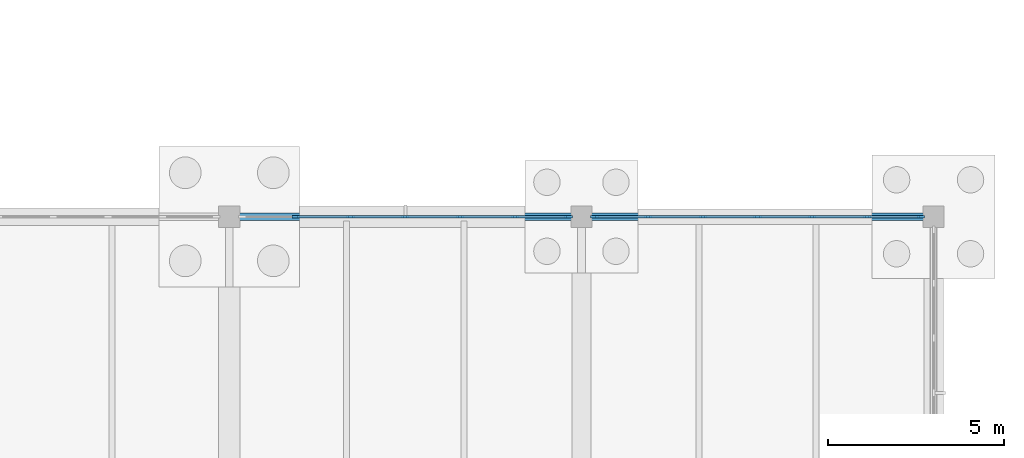
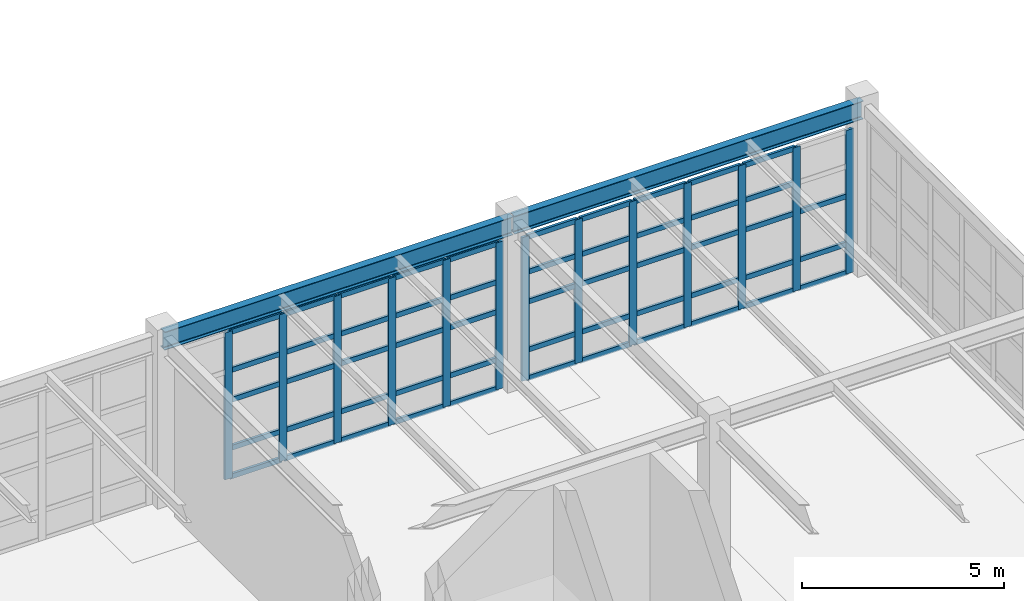
# One storey, part 77 of 145: 66 members, 2 beams, 2 elements without a shape of their own.
"""IFC4 building model written with IfcOpenShell, lengths in metres."""

from ifc_helpers import new_model, si_unit, direction, frame, origin, origin_2d, place, context, subcontext, project, spatial, rectangle, i_section, extrude, material, layer, layer_set, material_profile, profile_set, type_object, element, aggregate, save


model = new_model("IFC4")

# Units and contexts
model_context = context("Model", 3, precision=1e-05, world=origin(), true_north=direction((0.0, 1.0)))
body_context = subcontext(model_context, "Body", "Model", "MODEL_VIEW")
ifc_project = project(units=[si_unit("LENGTHUNIT", "METRE"), si_unit("AREAUNIT", "SQUARE_METRE"), si_unit("VOLUMEUNIT", "CUBIC_METRE"), si_unit("PLANEANGLEUNIT", "RADIAN"), si_unit("MASSUNIT", "GRAM", prefix="KILO"), si_unit("THERMODYNAMICTEMPERATUREUNIT", "KELVIN"), si_unit("POWERUNIT", "WATT")], contexts=[model_context])

# Site, building, storey
site_placement = place(None, origin())
site = spatial("IfcSite", under=ifc_project, at=site_placement, CompositionType="ELEMENT")
building_placement = place(site_placement, origin())
building = spatial("IfcBuilding", under=site, at=building_placement, Name="Korenveer Ferry Terminal", CompositionType="ELEMENT")
storey_placement = place(building_placement, origin())
storey = spatial("IfcBuildingStorey", under=building, at=storey_placement, Name="L00", CompositionType="ELEMENT", Elevation=0.0)

# Curtain wall, members
ifc_material_1 = material(Name="Unitised bronze-and-glass curtain wall", Category="glass")
ifc_layer_1 = layer(ifc_material_1, 0.219970703125)
ifc_layer_set_1 = layer_set([ifc_layer_1], Name="Unitised bronze-and-glass curtain wall")
curtain_wall_type_1 = type_object("IfcCurtainWallType", Name="ENV-CW-08", PredefinedType="USERDEFINED", material=ifc_layer_set_1)
curtain_wall_1_placement = place(storey_placement, frame((156.330078125, 80.0, 0.0)))
curtain_wall_1 = element("IfcCurtainWall", 1, at=curtain_wall_1_placement, inside=storey, type_object=curtain_wall_type_1, Name="Lancet curtain wall CWX-L00-X156-166-Y80-80", ObjectType="UNITISED CURTAIN WALL", PredefinedType="USERDEFINED")
ifc_material_2 = material(Name="Anodised bronze aluminium", Category="aluminium")
ifc_material_profile_1 = material_profile(ifc_material_2, rectangle(XDim=0.074951171875, YDim=0.219970703125, at=origin_2d()), Name="ALU 75x220")
ifc_profile_set_1 = profile_set([ifc_material_profile_1], Name="Anodised bronze aluminium")
member_type_1 = type_object("IfcMemberType", Name="ENV-CWM-75X220", PredefinedType="MULLION", material=ifc_profile_set_1)
member_1_placement = place(storey_placement, frame((157.88671875, 80.0, 0.0), z_axis=(0.0, 0.0, 1.0), x_axis=(0.0, 1.0, 0.0)))
member_1 = element("IfcMember", 2, at=member_1_placement, type_object=member_type_1, Name="CW-08 mullion 2", PredefinedType="MULLION", context=body_context, shape_type="SweptSolid", body=[
    extrude(rectangle(XDim=0.074951171875, YDim=0.219970703125, at=origin_2d()), origin(), (0.0, 0.0, 1.0), 4.43994140625),
])
member_2_placement = place(storey_placement, frame((159.443359375, 80.0, 0.0), z_axis=(0.0, 0.0, 1.0), x_axis=(0.0, 1.0, 0.0)))
member_2 = element("IfcMember", 3, at=member_2_placement, type_object=member_type_1, Name="CW-08 mullion 3", PredefinedType="MULLION", context=body_context, shape_type="SweptSolid", body=[
    extrude(rectangle(XDim=0.074951171875, YDim=0.219970703125, at=origin_2d()), origin(), (0.0, 0.0, 1.0), 4.43994140625),
])
member_3_placement = place(storey_placement, frame((161.0, 80.0, 0.0), z_axis=(0.0, 0.0, 1.0), x_axis=(0.0, 1.0, 0.0)))
member_3 = element("IfcMember", 4, at=member_3_placement, type_object=member_type_1, Name="CW-08 mullion 4", PredefinedType="MULLION", context=body_context, shape_type="SweptSolid", body=[
    extrude(rectangle(XDim=0.074951171875, YDim=0.219970703125, at=origin_2d()), origin(), (0.0, 0.0, 1.0), 4.43994140625),
])
member_4_placement = place(storey_placement, frame((162.556640625, 80.0, 0.0), z_axis=(0.0, 0.0, 1.0), x_axis=(0.0, 1.0, 0.0)))
member_4 = element("IfcMember", 5, at=member_4_placement, type_object=member_type_1, Name="CW-08 mullion 5", PredefinedType="MULLION", context=body_context, shape_type="SweptSolid", body=[
    extrude(rectangle(XDim=0.074951171875, YDim=0.219970703125, at=origin_2d()), origin(), (0.0, 0.0, 1.0), 4.43994140625),
])
member_5_placement = place(storey_placement, frame((164.11328125, 80.0, 0.0), z_axis=(0.0, 0.0, 1.0), x_axis=(0.0, 1.0, 0.0)))
member_5 = element("IfcMember", 6, at=member_5_placement, type_object=member_type_1, Name="CW-08 mullion 6", PredefinedType="MULLION", context=body_context, shape_type="SweptSolid", body=[
    extrude(rectangle(XDim=0.074951171875, YDim=0.219970703125, at=origin_2d()), origin(), (0.0, 0.0, 1.0), 4.43994140625),
])
member_6_placement = place(storey_placement, frame((165.632568359375, 80.0, 0.0), z_axis=(0.0, 0.0, 1.0), x_axis=(0.0, 1.0, 0.0)))
member_6 = element("IfcMember", 7, at=member_6_placement, type_object=member_type_1, Name="CW-08 mullion 7", PredefinedType="MULLION", context=body_context, shape_type="SweptSolid", body=[
    extrude(rectangle(XDim=0.074951171875, YDim=0.219970703125, at=origin_2d()), origin(), (0.0, 0.0, 1.0), 4.43994140625),
])

ifc_layer_2 = layer(ifc_material_1, 0.219970703125)
ifc_layer_set_2 = layer_set([ifc_layer_2], Name="Unitised bronze-and-glass curtain wall")
curtain_wall_type_2 = type_object("IfcCurtainWallType", Name="ENV-CW-09", PredefinedType="USERDEFINED", material=ifc_layer_set_2)
curtain_wall_2_placement = place(storey_placement, frame((166.330078125, 80.0, 0.0)))
curtain_wall_2 = element("IfcCurtainWall", 8, at=curtain_wall_2_placement, inside=storey, type_object=curtain_wall_type_2, Name="Lancet curtain wall CWX-L00-X166-176-Y80-80", ObjectType="UNITISED CURTAIN WALL", PredefinedType="USERDEFINED")
member_7_placement = place(storey_placement, frame((166.367431640625, 80.0, 0.0), z_axis=(0.0, 0.0, 1.0), x_axis=(0.0, 1.0, 0.0)))
member_7 = element("IfcMember", 9, at=member_7_placement, type_object=member_type_1, Name="CW-09 mullion 1", PredefinedType="MULLION", context=body_context, shape_type="SweptSolid", body=[
    extrude(rectangle(XDim=0.074951171875, YDim=0.219970703125, at=origin_2d()), origin(), (0.0, 0.0, 1.0), 4.340087890625),
])
member_8_placement = place(storey_placement, frame((167.88671875, 80.0, 0.0), z_axis=(0.0, 0.0, 1.0), x_axis=(0.0, 1.0, 0.0)))
member_8 = element("IfcMember", 10, at=member_8_placement, type_object=member_type_1, Name="CW-09 mullion 2", PredefinedType="MULLION", context=body_context, shape_type="SweptSolid", body=[
    extrude(rectangle(XDim=0.074951171875, YDim=0.219970703125, at=origin_2d()), origin(), (0.0, 0.0, 1.0), 4.340087890625),
])
member_9_placement = place(storey_placement, frame((169.443359375, 80.0, 0.0), z_axis=(0.0, 0.0, 1.0), x_axis=(0.0, 1.0, 0.0)))
member_9 = element("IfcMember", 11, at=member_9_placement, type_object=member_type_1, Name="CW-09 mullion 3", PredefinedType="MULLION", context=body_context, shape_type="SweptSolid", body=[
    extrude(rectangle(XDim=0.074951171875, YDim=0.219970703125, at=origin_2d()), origin(), (0.0, 0.0, 1.0), 4.340087890625),
])
member_10_placement = place(storey_placement, frame((171.0, 80.0, 0.0), z_axis=(0.0, 0.0, 1.0), x_axis=(0.0, 1.0, 0.0)))
member_10 = element("IfcMember", 12, at=member_10_placement, type_object=member_type_1, Name="CW-09 mullion 4", PredefinedType="MULLION", context=body_context, shape_type="SweptSolid", body=[
    extrude(rectangle(XDim=0.074951171875, YDim=0.219970703125, at=origin_2d()), origin(), (0.0, 0.0, 1.0), 4.340087890625),
])
member_11_placement = place(storey_placement, frame((172.556640625, 80.0, 0.0), z_axis=(0.0, 0.0, 1.0), x_axis=(0.0, 1.0, 0.0)))
member_11 = element("IfcMember", 13, at=member_11_placement, type_object=member_type_1, Name="CW-09 mullion 5", PredefinedType="MULLION", context=body_context, shape_type="SweptSolid", body=[
    extrude(rectangle(XDim=0.074951171875, YDim=0.219970703125, at=origin_2d()), origin(), (0.0, 0.0, 1.0), 4.340087890625),
])
member_12_placement = place(storey_placement, frame((174.11328125, 80.0, 0.0), z_axis=(0.0, 0.0, 1.0), x_axis=(0.0, 1.0, 0.0)))
member_12 = element("IfcMember", 14, at=member_12_placement, type_object=member_type_1, Name="CW-09 mullion 6", PredefinedType="MULLION", context=body_context, shape_type="SweptSolid", body=[
    extrude(rectangle(XDim=0.074951171875, YDim=0.219970703125, at=origin_2d()), origin(), (0.0, 0.0, 1.0), 4.340087890625),
])
member_13_placement = place(storey_placement, frame((175.632568359375, 80.0, 0.0), z_axis=(0.0, 0.0, 1.0), x_axis=(0.0, 1.0, 0.0)))
member_13 = element("IfcMember", 15, at=member_13_placement, type_object=member_type_1, Name="CW-09 mullion 7", PredefinedType="MULLION", context=body_context, shape_type="SweptSolid", body=[
    extrude(rectangle(XDim=0.074951171875, YDim=0.219970703125, at=origin_2d()), origin(), (0.0, 0.0, 1.0), 4.340087890625),
])

# Member
ifc_material_profile_2 = material_profile(ifc_material_2, rectangle(XDim=0.074951171875, YDim=0.14990234375, at=origin_2d()), Name="ALU 75x150")
ifc_profile_set_2 = profile_set([ifc_material_profile_2], Name="Anodised bronze aluminium")
member_type_2 = type_object("IfcMemberType", Name="ENV-CWT-75X150", PredefinedType="USERDEFINED", material=ifc_profile_set_2)
member_14_placement = place(storey_placement, frame((157.924072265625, 80.0, 0.03759765625), z_axis=(1.0, 0.0, 0.0), x_axis=(0.0, 1.0, 0.0)))
member_14 = element("IfcMember", 16, at=member_14_placement, type_object=member_type_2, Name="CW-08 transom 2.1", ObjectType="TRANSOM", PredefinedType="USERDEFINED", context=body_context, shape_type="SweptSolid", body=[
    extrude(rectangle(XDim=0.074951171875, YDim=0.14990234375, at=origin_2d()), origin(), (0.0, 0.0, 1.0), 1.481689453125),
])

member_15_placement = place(storey_placement, frame((157.924072265625, 80.0, 0.89990234375), z_axis=(1.0, 0.0, 0.0), x_axis=(0.0, 1.0, 0.0)))
member_15 = element("IfcMember", 17, at=member_15_placement, type_object=member_type_2, Name="CW-08 transom 2.2", ObjectType="TRANSOM", PredefinedType="USERDEFINED", context=body_context, shape_type="SweptSolid", body=[
    extrude(rectangle(XDim=0.074951171875, YDim=0.14990234375, at=origin_2d()), origin(), (0.0, 0.0, 1.0), 1.481689453125),
])

member_16_placement = place(storey_placement, frame((157.924072265625, 80.0, 2.35009765625), z_axis=(1.0, 0.0, 0.0), x_axis=(0.0, 1.0, 0.0)))
member_16 = element("IfcMember", 18, at=member_16_placement, type_object=member_type_2, Name="CW-08 transom 2.3", ObjectType="TRANSOM", PredefinedType="USERDEFINED", context=body_context, shape_type="SweptSolid", body=[
    extrude(rectangle(XDim=0.074951171875, YDim=0.14990234375, at=origin_2d()), origin(), (0.0, 0.0, 1.0), 1.481689453125),
])

member_17_placement = place(storey_placement, frame((157.924072265625, 80.0, 3.25), z_axis=(1.0, 0.0, 0.0), x_axis=(0.0, 1.0, 0.0)))
member_17 = element("IfcMember", 19, at=member_17_placement, type_object=member_type_2, Name="CW-08 transom 2.4", ObjectType="TRANSOM", PredefinedType="USERDEFINED", context=body_context, shape_type="SweptSolid", body=[
    extrude(rectangle(XDim=0.074951171875, YDim=0.14990234375, at=origin_2d()), origin(), (0.0, 0.0, 1.0), 1.481689453125),
])

member_18_placement = place(storey_placement, frame((157.924072265625, 80.0, 4.402587890625), z_axis=(1.0, 0.0, 0.0), x_axis=(0.0, 1.0, 0.0)))
member_18 = element("IfcMember", 20, at=member_18_placement, type_object=member_type_2, Name="CW-08 transom 2.5", ObjectType="TRANSOM", PredefinedType="USERDEFINED", context=body_context, shape_type="SweptSolid", body=[
    extrude(rectangle(XDim=0.074951171875, YDim=0.14990234375, at=origin_2d()), origin(), (0.0, 0.0, 1.0), 1.481689453125),
])

member_19_placement = place(storey_placement, frame((159.480712890625, 80.0, 0.03759765625), z_axis=(1.0, 0.0, 0.0), x_axis=(0.0, 1.0, 0.0)))
member_19 = element("IfcMember", 21, at=member_19_placement, type_object=member_type_2, Name="CW-08 transom 3.1", ObjectType="TRANSOM", PredefinedType="USERDEFINED", context=body_context, shape_type="SweptSolid", body=[
    extrude(rectangle(XDim=0.074951171875, YDim=0.14990234375, at=origin_2d()), origin(), (0.0, 0.0, 1.0), 1.481689453125),
])

member_20_placement = place(storey_placement, frame((159.480712890625, 80.0, 0.89990234375), z_axis=(1.0, 0.0, 0.0), x_axis=(0.0, 1.0, 0.0)))
member_20 = element("IfcMember", 22, at=member_20_placement, type_object=member_type_2, Name="CW-08 transom 3.2", ObjectType="TRANSOM", PredefinedType="USERDEFINED", context=body_context, shape_type="SweptSolid", body=[
    extrude(rectangle(XDim=0.074951171875, YDim=0.14990234375, at=origin_2d()), origin(), (0.0, 0.0, 1.0), 1.481689453125),
])

member_21_placement = place(storey_placement, frame((159.480712890625, 80.0, 2.35009765625), z_axis=(1.0, 0.0, 0.0), x_axis=(0.0, 1.0, 0.0)))
member_21 = element("IfcMember", 23, at=member_21_placement, type_object=member_type_2, Name="CW-08 transom 3.3", ObjectType="TRANSOM", PredefinedType="USERDEFINED", context=body_context, shape_type="SweptSolid", body=[
    extrude(rectangle(XDim=0.074951171875, YDim=0.14990234375, at=origin_2d()), origin(), (0.0, 0.0, 1.0), 1.481689453125),
])

member_22_placement = place(storey_placement, frame((159.480712890625, 80.0, 3.25), z_axis=(1.0, 0.0, 0.0), x_axis=(0.0, 1.0, 0.0)))
member_22 = element("IfcMember", 24, at=member_22_placement, type_object=member_type_2, Name="CW-08 transom 3.4", ObjectType="TRANSOM", PredefinedType="USERDEFINED", context=body_context, shape_type="SweptSolid", body=[
    extrude(rectangle(XDim=0.074951171875, YDim=0.14990234375, at=origin_2d()), origin(), (0.0, 0.0, 1.0), 1.481689453125),
])

member_23_placement = place(storey_placement, frame((159.480712890625, 80.0, 4.402587890625), z_axis=(1.0, 0.0, 0.0), x_axis=(0.0, 1.0, 0.0)))
member_23 = element("IfcMember", 25, at=member_23_placement, type_object=member_type_2, Name="CW-08 transom 3.5", ObjectType="TRANSOM", PredefinedType="USERDEFINED", context=body_context, shape_type="SweptSolid", body=[
    extrude(rectangle(XDim=0.074951171875, YDim=0.14990234375, at=origin_2d()), origin(), (0.0, 0.0, 1.0), 1.481689453125),
])

member_24_placement = place(storey_placement, frame((161.03759765625, 80.0, 0.03759765625), z_axis=(1.0, 0.0, 0.0), x_axis=(0.0, 1.0, 0.0)))
member_24 = element("IfcMember", 26, at=member_24_placement, type_object=member_type_2, Name="CW-08 transom 4.1", ObjectType="TRANSOM", PredefinedType="USERDEFINED", context=body_context, shape_type="SweptSolid", body=[
    extrude(rectangle(XDim=0.074951171875, YDim=0.14990234375, at=origin_2d()), origin(), (0.0, 0.0, 1.0), 1.481689453125),
])

member_25_placement = place(storey_placement, frame((161.03759765625, 80.0, 0.89990234375), z_axis=(1.0, 0.0, 0.0), x_axis=(0.0, 1.0, 0.0)))
member_25 = element("IfcMember", 27, at=member_25_placement, type_object=member_type_2, Name="CW-08 transom 4.2", ObjectType="TRANSOM", PredefinedType="USERDEFINED", context=body_context, shape_type="SweptSolid", body=[
    extrude(rectangle(XDim=0.074951171875, YDim=0.14990234375, at=origin_2d()), origin(), (0.0, 0.0, 1.0), 1.481689453125),
])

member_26_placement = place(storey_placement, frame((161.03759765625, 80.0, 2.35009765625), z_axis=(1.0, 0.0, 0.0), x_axis=(0.0, 1.0, 0.0)))
member_26 = element("IfcMember", 28, at=member_26_placement, type_object=member_type_2, Name="CW-08 transom 4.3", ObjectType="TRANSOM", PredefinedType="USERDEFINED", context=body_context, shape_type="SweptSolid", body=[
    extrude(rectangle(XDim=0.074951171875, YDim=0.14990234375, at=origin_2d()), origin(), (0.0, 0.0, 1.0), 1.481689453125),
])

member_27_placement = place(storey_placement, frame((161.03759765625, 80.0, 3.25), z_axis=(1.0, 0.0, 0.0), x_axis=(0.0, 1.0, 0.0)))
member_27 = element("IfcMember", 29, at=member_27_placement, type_object=member_type_2, Name="CW-08 transom 4.4", ObjectType="TRANSOM", PredefinedType="USERDEFINED", context=body_context, shape_type="SweptSolid", body=[
    extrude(rectangle(XDim=0.074951171875, YDim=0.14990234375, at=origin_2d()), origin(), (0.0, 0.0, 1.0), 1.481689453125),
])

member_28_placement = place(storey_placement, frame((161.03759765625, 80.0, 4.402587890625), z_axis=(1.0, 0.0, 0.0), x_axis=(0.0, 1.0, 0.0)))
member_28 = element("IfcMember", 30, at=member_28_placement, type_object=member_type_2, Name="CW-08 transom 4.5", ObjectType="TRANSOM", PredefinedType="USERDEFINED", context=body_context, shape_type="SweptSolid", body=[
    extrude(rectangle(XDim=0.074951171875, YDim=0.14990234375, at=origin_2d()), origin(), (0.0, 0.0, 1.0), 1.481689453125),
])

member_29_placement = place(storey_placement, frame((162.59423828125, 80.0, 0.03759765625), z_axis=(1.0, 0.0, 0.0), x_axis=(0.0, 1.0, 0.0)))
member_29 = element("IfcMember", 31, at=member_29_placement, type_object=member_type_2, Name="CW-08 transom 5.1", ObjectType="TRANSOM", PredefinedType="USERDEFINED", context=body_context, shape_type="SweptSolid", body=[
    extrude(rectangle(XDim=0.074951171875, YDim=0.14990234375, at=origin_2d()), origin(), (0.0, 0.0, 1.0), 1.481689453125),
])

member_30_placement = place(storey_placement, frame((162.59423828125, 80.0, 0.89990234375), z_axis=(1.0, 0.0, 0.0), x_axis=(0.0, 1.0, 0.0)))
member_30 = element("IfcMember", 32, at=member_30_placement, type_object=member_type_2, Name="CW-08 transom 5.2", ObjectType="TRANSOM", PredefinedType="USERDEFINED", context=body_context, shape_type="SweptSolid", body=[
    extrude(rectangle(XDim=0.074951171875, YDim=0.14990234375, at=origin_2d()), origin(), (0.0, 0.0, 1.0), 1.481689453125),
])

member_31_placement = place(storey_placement, frame((162.59423828125, 80.0, 2.35009765625), z_axis=(1.0, 0.0, 0.0), x_axis=(0.0, 1.0, 0.0)))
member_31 = element("IfcMember", 33, at=member_31_placement, type_object=member_type_2, Name="CW-08 transom 5.3", ObjectType="TRANSOM", PredefinedType="USERDEFINED", context=body_context, shape_type="SweptSolid", body=[
    extrude(rectangle(XDim=0.074951171875, YDim=0.14990234375, at=origin_2d()), origin(), (0.0, 0.0, 1.0), 1.481689453125),
])

member_32_placement = place(storey_placement, frame((162.59423828125, 80.0, 3.25), z_axis=(1.0, 0.0, 0.0), x_axis=(0.0, 1.0, 0.0)))
member_32 = element("IfcMember", 34, at=member_32_placement, type_object=member_type_2, Name="CW-08 transom 5.4", ObjectType="TRANSOM", PredefinedType="USERDEFINED", context=body_context, shape_type="SweptSolid", body=[
    extrude(rectangle(XDim=0.074951171875, YDim=0.14990234375, at=origin_2d()), origin(), (0.0, 0.0, 1.0), 1.481689453125),
])

member_33_placement = place(storey_placement, frame((162.59423828125, 80.0, 4.402587890625), z_axis=(1.0, 0.0, 0.0), x_axis=(0.0, 1.0, 0.0)))
member_33 = element("IfcMember", 35, at=member_33_placement, type_object=member_type_2, Name="CW-08 transom 5.5", ObjectType="TRANSOM", PredefinedType="USERDEFINED", context=body_context, shape_type="SweptSolid", body=[
    extrude(rectangle(XDim=0.074951171875, YDim=0.14990234375, at=origin_2d()), origin(), (0.0, 0.0, 1.0), 1.481689453125),
])

member_34_placement = place(storey_placement, frame((164.15087890625, 80.0, 0.03759765625), z_axis=(1.0, 0.0, 0.0), x_axis=(0.0, 1.0, 0.0)))
member_34 = element("IfcMember", 36, at=member_34_placement, type_object=member_type_2, Name="CW-08 transom 6.1", ObjectType="TRANSOM", PredefinedType="USERDEFINED", context=body_context, shape_type="SweptSolid", body=[
    extrude(rectangle(XDim=0.074951171875, YDim=0.14990234375, at=origin_2d()), origin(), (0.0, 0.0, 1.0), 1.444091796875),
])

member_35_placement = place(storey_placement, frame((164.15087890625, 80.0, 0.89990234375), z_axis=(1.0, 0.0, 0.0), x_axis=(0.0, 1.0, 0.0)))
member_35 = element("IfcMember", 37, at=member_35_placement, type_object=member_type_2, Name="CW-08 transom 6.2", ObjectType="TRANSOM", PredefinedType="USERDEFINED", context=body_context, shape_type="SweptSolid", body=[
    extrude(rectangle(XDim=0.074951171875, YDim=0.14990234375, at=origin_2d()), origin(), (0.0, 0.0, 1.0), 1.444091796875),
])

member_36_placement = place(storey_placement, frame((164.15087890625, 80.0, 2.35009765625), z_axis=(1.0, 0.0, 0.0), x_axis=(0.0, 1.0, 0.0)))
member_36 = element("IfcMember", 38, at=member_36_placement, type_object=member_type_2, Name="CW-08 transom 6.3", ObjectType="TRANSOM", PredefinedType="USERDEFINED", context=body_context, shape_type="SweptSolid", body=[
    extrude(rectangle(XDim=0.074951171875, YDim=0.14990234375, at=origin_2d()), origin(), (0.0, 0.0, 1.0), 1.444091796875),
])

member_37_placement = place(storey_placement, frame((164.15087890625, 80.0, 3.25), z_axis=(1.0, 0.0, 0.0), x_axis=(0.0, 1.0, 0.0)))
member_37 = element("IfcMember", 39, at=member_37_placement, type_object=member_type_2, Name="CW-08 transom 6.4", ObjectType="TRANSOM", PredefinedType="USERDEFINED", context=body_context, shape_type="SweptSolid", body=[
    extrude(rectangle(XDim=0.074951171875, YDim=0.14990234375, at=origin_2d()), origin(), (0.0, 0.0, 1.0), 1.444091796875),
])

member_38_placement = place(storey_placement, frame((164.15087890625, 80.0, 4.402587890625), z_axis=(1.0, 0.0, 0.0), x_axis=(0.0, 1.0, 0.0)))
member_38 = element("IfcMember", 40, at=member_38_placement, type_object=member_type_2, Name="CW-08 transom 6.5", ObjectType="TRANSOM", PredefinedType="USERDEFINED", context=body_context, shape_type="SweptSolid", body=[
    extrude(rectangle(XDim=0.074951171875, YDim=0.14990234375, at=origin_2d()), origin(), (0.0, 0.0, 1.0), 1.444091796875),
])

aggregate(curtain_wall_1, [member_1, member_2, member_3, member_4, member_5, member_6, member_14, member_15, member_16, member_17, member_18, member_19, member_20, member_21, member_22, member_23, member_24, member_25, member_26, member_27, member_28, member_29, member_30, member_31, member_32, member_33, member_34, member_35, member_36, member_37, member_38])

member_39_placement = place(storey_placement, frame((166.405029296875, 80.0, 0.03759765625), z_axis=(1.0, 0.0, 0.0), x_axis=(0.0, 1.0, 0.0)))
member_39 = element("IfcMember", 41, at=member_39_placement, type_object=member_type_2, Name="CW-09 transom 1.1", ObjectType="TRANSOM", PredefinedType="USERDEFINED", context=body_context, shape_type="SweptSolid", body=[
    extrude(rectangle(XDim=0.074951171875, YDim=0.14990234375, at=origin_2d()), origin(), (0.0, 0.0, 1.0), 1.444091796875),
])

member_40_placement = place(storey_placement, frame((166.405029296875, 80.0, 0.89990234375), z_axis=(1.0, 0.0, 0.0), x_axis=(0.0, 1.0, 0.0)))
member_40 = element("IfcMember", 42, at=member_40_placement, type_object=member_type_2, Name="CW-09 transom 1.2", ObjectType="TRANSOM", PredefinedType="USERDEFINED", context=body_context, shape_type="SweptSolid", body=[
    extrude(rectangle(XDim=0.074951171875, YDim=0.14990234375, at=origin_2d()), origin(), (0.0, 0.0, 1.0), 1.444091796875),
])

member_41_placement = place(storey_placement, frame((166.405029296875, 80.0, 2.35009765625), z_axis=(1.0, 0.0, 0.0), x_axis=(0.0, 1.0, 0.0)))
member_41 = element("IfcMember", 43, at=member_41_placement, type_object=member_type_2, Name="CW-09 transom 1.3", ObjectType="TRANSOM", PredefinedType="USERDEFINED", context=body_context, shape_type="SweptSolid", body=[
    extrude(rectangle(XDim=0.074951171875, YDim=0.14990234375, at=origin_2d()), origin(), (0.0, 0.0, 1.0), 1.444091796875),
])

member_42_placement = place(storey_placement, frame((166.405029296875, 80.0, 3.25), z_axis=(1.0, 0.0, 0.0), x_axis=(0.0, 1.0, 0.0)))
member_42 = element("IfcMember", 44, at=member_42_placement, type_object=member_type_2, Name="CW-09 transom 1.4", ObjectType="TRANSOM", PredefinedType="USERDEFINED", context=body_context, shape_type="SweptSolid", body=[
    extrude(rectangle(XDim=0.074951171875, YDim=0.14990234375, at=origin_2d()), origin(), (0.0, 0.0, 1.0), 1.444091796875),
])

member_43_placement = place(storey_placement, frame((166.405029296875, 80.0, 4.302490234375), z_axis=(1.0, 0.0, 0.0), x_axis=(0.0, 1.0, 0.0)))
member_43 = element("IfcMember", 45, at=member_43_placement, type_object=member_type_2, Name="CW-09 transom 1.5", ObjectType="TRANSOM", PredefinedType="USERDEFINED", context=body_context, shape_type="SweptSolid", body=[
    extrude(rectangle(XDim=0.074951171875, YDim=0.14990234375, at=origin_2d()), origin(), (0.0, 0.0, 1.0), 1.444091796875),
])

member_44_placement = place(storey_placement, frame((167.924072265625, 80.0, 0.03759765625), z_axis=(1.0, 0.0, 0.0), x_axis=(0.0, 1.0, 0.0)))
member_44 = element("IfcMember", 46, at=member_44_placement, type_object=member_type_2, Name="CW-09 transom 2.1", ObjectType="TRANSOM", PredefinedType="USERDEFINED", context=body_context, shape_type="SweptSolid", body=[
    extrude(rectangle(XDim=0.074951171875, YDim=0.14990234375, at=origin_2d()), origin(), (0.0, 0.0, 1.0), 1.481689453125),
])

member_45_placement = place(storey_placement, frame((167.924072265625, 80.0, 0.89990234375), z_axis=(1.0, 0.0, 0.0), x_axis=(0.0, 1.0, 0.0)))
member_45 = element("IfcMember", 47, at=member_45_placement, type_object=member_type_2, Name="CW-09 transom 2.2", ObjectType="TRANSOM", PredefinedType="USERDEFINED", context=body_context, shape_type="SweptSolid", body=[
    extrude(rectangle(XDim=0.074951171875, YDim=0.14990234375, at=origin_2d()), origin(), (0.0, 0.0, 1.0), 1.481689453125),
])

member_46_placement = place(storey_placement, frame((167.924072265625, 80.0, 2.35009765625), z_axis=(1.0, 0.0, 0.0), x_axis=(0.0, 1.0, 0.0)))
member_46 = element("IfcMember", 48, at=member_46_placement, type_object=member_type_2, Name="CW-09 transom 2.3", ObjectType="TRANSOM", PredefinedType="USERDEFINED", context=body_context, shape_type="SweptSolid", body=[
    extrude(rectangle(XDim=0.074951171875, YDim=0.14990234375, at=origin_2d()), origin(), (0.0, 0.0, 1.0), 1.481689453125),
])

member_47_placement = place(storey_placement, frame((167.924072265625, 80.0, 3.25), z_axis=(1.0, 0.0, 0.0), x_axis=(0.0, 1.0, 0.0)))
member_47 = element("IfcMember", 49, at=member_47_placement, type_object=member_type_2, Name="CW-09 transom 2.4", ObjectType="TRANSOM", PredefinedType="USERDEFINED", context=body_context, shape_type="SweptSolid", body=[
    extrude(rectangle(XDim=0.074951171875, YDim=0.14990234375, at=origin_2d()), origin(), (0.0, 0.0, 1.0), 1.481689453125),
])

member_48_placement = place(storey_placement, frame((167.924072265625, 80.0, 4.302490234375), z_axis=(1.0, 0.0, 0.0), x_axis=(0.0, 1.0, 0.0)))
member_48 = element("IfcMember", 50, at=member_48_placement, type_object=member_type_2, Name="CW-09 transom 2.5", ObjectType="TRANSOM", PredefinedType="USERDEFINED", context=body_context, shape_type="SweptSolid", body=[
    extrude(rectangle(XDim=0.074951171875, YDim=0.14990234375, at=origin_2d()), origin(), (0.0, 0.0, 1.0), 1.481689453125),
])

member_49_placement = place(storey_placement, frame((169.480712890625, 80.0, 0.03759765625), z_axis=(1.0, 0.0, 0.0), x_axis=(0.0, 1.0, 0.0)))
member_49 = element("IfcMember", 51, at=member_49_placement, type_object=member_type_2, Name="CW-09 transom 3.1", ObjectType="TRANSOM", PredefinedType="USERDEFINED", context=body_context, shape_type="SweptSolid", body=[
    extrude(rectangle(XDim=0.074951171875, YDim=0.14990234375, at=origin_2d()), origin(), (0.0, 0.0, 1.0), 1.481689453125),
])

member_50_placement = place(storey_placement, frame((169.480712890625, 80.0, 0.89990234375), z_axis=(1.0, 0.0, 0.0), x_axis=(0.0, 1.0, 0.0)))
member_50 = element("IfcMember", 52, at=member_50_placement, type_object=member_type_2, Name="CW-09 transom 3.2", ObjectType="TRANSOM", PredefinedType="USERDEFINED", context=body_context, shape_type="SweptSolid", body=[
    extrude(rectangle(XDim=0.074951171875, YDim=0.14990234375, at=origin_2d()), origin(), (0.0, 0.0, 1.0), 1.481689453125),
])

member_51_placement = place(storey_placement, frame((169.480712890625, 80.0, 2.35009765625), z_axis=(1.0, 0.0, 0.0), x_axis=(0.0, 1.0, 0.0)))
member_51 = element("IfcMember", 53, at=member_51_placement, type_object=member_type_2, Name="CW-09 transom 3.3", ObjectType="TRANSOM", PredefinedType="USERDEFINED", context=body_context, shape_type="SweptSolid", body=[
    extrude(rectangle(XDim=0.074951171875, YDim=0.14990234375, at=origin_2d()), origin(), (0.0, 0.0, 1.0), 1.481689453125),
])

member_52_placement = place(storey_placement, frame((169.480712890625, 80.0, 3.25), z_axis=(1.0, 0.0, 0.0), x_axis=(0.0, 1.0, 0.0)))
member_52 = element("IfcMember", 54, at=member_52_placement, type_object=member_type_2, Name="CW-09 transom 3.4", ObjectType="TRANSOM", PredefinedType="USERDEFINED", context=body_context, shape_type="SweptSolid", body=[
    extrude(rectangle(XDim=0.074951171875, YDim=0.14990234375, at=origin_2d()), origin(), (0.0, 0.0, 1.0), 1.481689453125),
])

member_53_placement = place(storey_placement, frame((169.480712890625, 80.0, 4.302490234375), z_axis=(1.0, 0.0, 0.0), x_axis=(0.0, 1.0, 0.0)))
member_53 = element("IfcMember", 55, at=member_53_placement, type_object=member_type_2, Name="CW-09 transom 3.5", ObjectType="TRANSOM", PredefinedType="USERDEFINED", context=body_context, shape_type="SweptSolid", body=[
    extrude(rectangle(XDim=0.074951171875, YDim=0.14990234375, at=origin_2d()), origin(), (0.0, 0.0, 1.0), 1.481689453125),
])

member_54_placement = place(storey_placement, frame((171.03759765625, 80.0, 0.03759765625), z_axis=(1.0, 0.0, 0.0), x_axis=(0.0, 1.0, 0.0)))
member_54 = element("IfcMember", 56, at=member_54_placement, type_object=member_type_2, Name="CW-09 transom 4.1", ObjectType="TRANSOM", PredefinedType="USERDEFINED", context=body_context, shape_type="SweptSolid", body=[
    extrude(rectangle(XDim=0.074951171875, YDim=0.14990234375, at=origin_2d()), origin(), (0.0, 0.0, 1.0), 1.481689453125),
])

member_55_placement = place(storey_placement, frame((171.03759765625, 80.0, 0.89990234375), z_axis=(1.0, 0.0, 0.0), x_axis=(0.0, 1.0, 0.0)))
member_55 = element("IfcMember", 57, at=member_55_placement, type_object=member_type_2, Name="CW-09 transom 4.2", ObjectType="TRANSOM", PredefinedType="USERDEFINED", context=body_context, shape_type="SweptSolid", body=[
    extrude(rectangle(XDim=0.074951171875, YDim=0.14990234375, at=origin_2d()), origin(), (0.0, 0.0, 1.0), 1.481689453125),
])

member_56_placement = place(storey_placement, frame((171.03759765625, 80.0, 2.35009765625), z_axis=(1.0, 0.0, 0.0), x_axis=(0.0, 1.0, 0.0)))
member_56 = element("IfcMember", 58, at=member_56_placement, type_object=member_type_2, Name="CW-09 transom 4.3", ObjectType="TRANSOM", PredefinedType="USERDEFINED", context=body_context, shape_type="SweptSolid", body=[
    extrude(rectangle(XDim=0.074951171875, YDim=0.14990234375, at=origin_2d()), origin(), (0.0, 0.0, 1.0), 1.481689453125),
])

member_57_placement = place(storey_placement, frame((171.03759765625, 80.0, 3.25), z_axis=(1.0, 0.0, 0.0), x_axis=(0.0, 1.0, 0.0)))
member_57 = element("IfcMember", 59, at=member_57_placement, type_object=member_type_2, Name="CW-09 transom 4.4", ObjectType="TRANSOM", PredefinedType="USERDEFINED", context=body_context, shape_type="SweptSolid", body=[
    extrude(rectangle(XDim=0.074951171875, YDim=0.14990234375, at=origin_2d()), origin(), (0.0, 0.0, 1.0), 1.481689453125),
])

member_58_placement = place(storey_placement, frame((171.03759765625, 80.0, 4.302490234375), z_axis=(1.0, 0.0, 0.0), x_axis=(0.0, 1.0, 0.0)))
member_58 = element("IfcMember", 60, at=member_58_placement, type_object=member_type_2, Name="CW-09 transom 4.5", ObjectType="TRANSOM", PredefinedType="USERDEFINED", context=body_context, shape_type="SweptSolid", body=[
    extrude(rectangle(XDim=0.074951171875, YDim=0.14990234375, at=origin_2d()), origin(), (0.0, 0.0, 1.0), 1.481689453125),
])

member_59_placement = place(storey_placement, frame((172.59423828125, 80.0, 0.03759765625), z_axis=(1.0, 0.0, 0.0), x_axis=(0.0, 1.0, 0.0)))
member_59 = element("IfcMember", 61, at=member_59_placement, type_object=member_type_2, Name="CW-09 transom 5.1", ObjectType="TRANSOM", PredefinedType="USERDEFINED", context=body_context, shape_type="SweptSolid", body=[
    extrude(rectangle(XDim=0.074951171875, YDim=0.14990234375, at=origin_2d()), origin(), (0.0, 0.0, 1.0), 1.481689453125),
])

member_60_placement = place(storey_placement, frame((172.59423828125, 80.0, 0.89990234375), z_axis=(1.0, 0.0, 0.0), x_axis=(0.0, 1.0, 0.0)))
member_60 = element("IfcMember", 62, at=member_60_placement, type_object=member_type_2, Name="CW-09 transom 5.2", ObjectType="TRANSOM", PredefinedType="USERDEFINED", context=body_context, shape_type="SweptSolid", body=[
    extrude(rectangle(XDim=0.074951171875, YDim=0.14990234375, at=origin_2d()), origin(), (0.0, 0.0, 1.0), 1.481689453125),
])

member_61_placement = place(storey_placement, frame((172.59423828125, 80.0, 2.35009765625), z_axis=(1.0, 0.0, 0.0), x_axis=(0.0, 1.0, 0.0)))
member_61 = element("IfcMember", 63, at=member_61_placement, type_object=member_type_2, Name="CW-09 transom 5.3", ObjectType="TRANSOM", PredefinedType="USERDEFINED", context=body_context, shape_type="SweptSolid", body=[
    extrude(rectangle(XDim=0.074951171875, YDim=0.14990234375, at=origin_2d()), origin(), (0.0, 0.0, 1.0), 1.481689453125),
])

member_62_placement = place(storey_placement, frame((172.59423828125, 80.0, 3.25), z_axis=(1.0, 0.0, 0.0), x_axis=(0.0, 1.0, 0.0)))
member_62 = element("IfcMember", 64, at=member_62_placement, type_object=member_type_2, Name="CW-09 transom 5.4", ObjectType="TRANSOM", PredefinedType="USERDEFINED", context=body_context, shape_type="SweptSolid", body=[
    extrude(rectangle(XDim=0.074951171875, YDim=0.14990234375, at=origin_2d()), origin(), (0.0, 0.0, 1.0), 1.481689453125),
])

member_63_placement = place(storey_placement, frame((172.59423828125, 80.0, 4.302490234375), z_axis=(1.0, 0.0, 0.0), x_axis=(0.0, 1.0, 0.0)))
member_63 = element("IfcMember", 65, at=member_63_placement, type_object=member_type_2, Name="CW-09 transom 5.5", ObjectType="TRANSOM", PredefinedType="USERDEFINED", context=body_context, shape_type="SweptSolid", body=[
    extrude(rectangle(XDim=0.074951171875, YDim=0.14990234375, at=origin_2d()), origin(), (0.0, 0.0, 1.0), 1.481689453125),
])

member_64_placement = place(storey_placement, frame((174.15087890625, 80.0, 0.03759765625), z_axis=(1.0, 0.0, 0.0), x_axis=(0.0, 1.0, 0.0)))
member_64 = element("IfcMember", 66, at=member_64_placement, type_object=member_type_2, Name="CW-09 transom 6.1", ObjectType="TRANSOM", PredefinedType="USERDEFINED", context=body_context, shape_type="SweptSolid", body=[
    extrude(rectangle(XDim=0.074951171875, YDim=0.14990234375, at=origin_2d()), origin(), (0.0, 0.0, 1.0), 1.444091796875),
])

member_65_placement = place(storey_placement, frame((174.15087890625, 80.0, 0.89990234375), z_axis=(1.0, 0.0, 0.0), x_axis=(0.0, 1.0, 0.0)))
member_65 = element("IfcMember", 67, at=member_65_placement, type_object=member_type_2, Name="CW-09 transom 6.2", ObjectType="TRANSOM", PredefinedType="USERDEFINED", context=body_context, shape_type="SweptSolid", body=[
    extrude(rectangle(XDim=0.074951171875, YDim=0.14990234375, at=origin_2d()), origin(), (0.0, 0.0, 1.0), 1.444091796875),
])

member_66_placement = place(storey_placement, frame((174.15087890625, 80.0, 2.35009765625), z_axis=(1.0, 0.0, 0.0), x_axis=(0.0, 1.0, 0.0)))
member_66 = element("IfcMember", 68, at=member_66_placement, type_object=member_type_2, Name="CW-09 transom 6.3", ObjectType="TRANSOM", PredefinedType="USERDEFINED", context=body_context, shape_type="SweptSolid", body=[
    extrude(rectangle(XDim=0.074951171875, YDim=0.14990234375, at=origin_2d()), origin(), (0.0, 0.0, 1.0), 1.444091796875),
])

aggregate(curtain_wall_2, [member_7, member_8, member_9, member_10, member_11, member_12, member_13, member_39, member_40, member_41, member_42, member_43, member_44, member_45, member_46, member_47, member_48, member_49, member_50, member_51, member_52, member_53, member_54, member_55, member_56, member_57, member_58, member_59, member_60, member_61, member_62, member_63, member_64, member_65, member_66])

# Beams
ifc_material_3 = material(Name="Steel S355", Category="steel")
ifc_material_profile_3 = material_profile(ifc_material_3, i_section(OverallWidth=0.2099609375, OverallDepth=0.550048828125, WebThickness=0.010986328125, FlangeThickness=0.01708984375, FilletRadius=0.02392578125, at=origin_2d()), Name="IPE 550")
ifc_profile_set_3 = profile_set([ifc_material_profile_3], Name="Steel S355")
beam_type = type_object("IfcBeamType", Name="STR-BM-IPE550", PredefinedType="BEAM", material=ifc_profile_set_3)
for number, where, z_axis, x_axis, name in (
    (69, (156.02001953125, 80.0, 4.844970703125), (1.0, 0.0, 0.0), (0.0, 1.0, 0.0), "Primary X girder BMX-L01-X156-166-Y80"),
    (70, (166.02001953125, 80.0, 4.844970703125), (1.0, 0.0, 0.0), (0.0, 1.0, 0.0), "Primary X girder BMX-L01-X166-176-Y80"),
):
    element("IfcBeam", number, at=place(storey_placement, frame(where, z_axis=z_axis, x_axis=x_axis)), inside=storey, type_object=beam_type, Name=name, PredefinedType="BEAM", context=body_context, shape_type="SweptSolid", body=[
        extrude(i_section(OverallWidth=0.2099609375, OverallDepth=0.550048828125, WebThickness=0.010986328125, FlangeThickness=0.01708984375, FilletRadius=0.02392578125, at=origin_2d()), origin(), (0.0, 0.0, 1.0), 9.9599609375),
    ])

save(model, "model.ifc")
